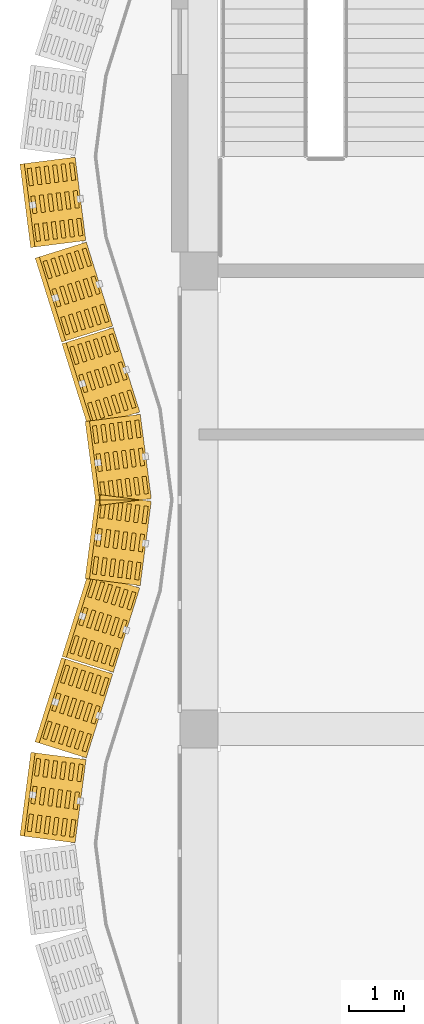
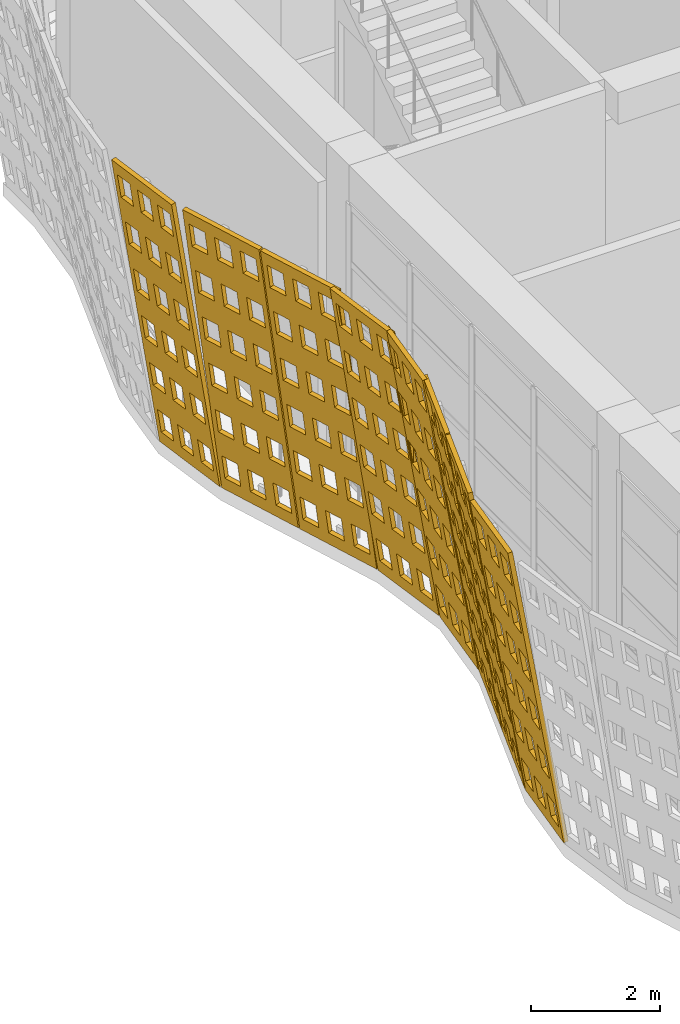
# One storey, part 157 of 210: 8 coverings.
"""IFC4 building model written with IfcOpenShell, lengths in metres."""

import ifcopenshell
import ifcopenshell.guid

model = None  # the IFC model being written
_history = None  # IfcOwnerHistory: only IFC2X3 demands one
_inside = {}  # id of a spatial element -> (the spatial element, [elements in it])
_under = {}  # id of a project, library or spatial element -> (it, [spatial elements below it])
_declared = {}  # id of a project -> (the project, [libraries it declares])
_typed = {}  # id of a type object -> (the type object, [elements of that type])
_made_of = {}  # id of a material, layer set ... -> (it, [elements and type objects made of it])


def new_model(schema):
    """Start an empty IFC model of exactly this schema.

    Asked for "IFC4X3", IfcOpenShell would pick the latest addendum, in which some entities
    have other attributes; the version numbers below select the first issue.
    IFC2X3 requires an IfcOwnerHistory on every rooted entity: one is made here for all.
    """
    global model, _history
    if schema == "IFC4X3":
        model = ifcopenshell.file(schema_version=(4, 3, 0, 0))
    else:
        model = ifcopenshell.file(schema=schema)
    _inside.clear()
    _under.clear()
    _declared.clear()
    _typed.clear()
    _made_of.clear()
    _history = None
    if model.schema == "IFC2X3":
        org = make("IfcOrganization", Name="unknown")
        user = make(
            "IfcPersonAndOrganization",
            ThePerson=make("IfcPerson", FamilyName="unknown"),
            TheOrganization=org,
        )
        app = make(
            "IfcApplication",
            ApplicationDeveloper=org,
            Version="unknown",
            ApplicationFullName="unknown",
            ApplicationIdentifier="unknown",
        )
        _history = make(
            "IfcOwnerHistory",
            OwningUser=user,
            OwningApplication=app,
            ChangeAction="ADDED",
            CreationDate=0,
        )
    return model


def make(cls, **values):
    """One entity of the class cls with the attributes given. An attribute that is None is left unset."""
    return model.create_entity(
        cls, **{name: value for name, value in values.items() if value is not None}
    )


def rooted(cls, **values):
    """An entity with a GlobalId (a new one), such as an element, a storey or a relation."""
    return make(cls, GlobalId=ifcopenshell.guid.new(), OwnerHistory=_history, **values)


def si_unit(unit_type, name, prefix=None):
    """IfcSIUnit, for example si_unit("LENGTHUNIT", "METRE", prefix="MILLI")."""
    return make("IfcSIUnit", UnitType=unit_type, Prefix=prefix, Name=name)


def assignment(units):
    """IfcUnitAssignment: the units of a project."""
    return None if units is None else make("IfcUnitAssignment", Units=units)


def point(xyz):
    """IfcCartesianPoint."""
    return None if xyz is None else make("IfcCartesianPoint", Coordinates=xyz)


def direction(xyz):
    """IfcDirection."""
    return None if xyz is None else make("IfcDirection", DirectionRatios=xyz)


def frame(location, z_axis=None, x_axis=None):
    """IfcAxis2Placement3D, a coordinate frame: its origin and axes. An axis left out is left unset."""
    return make(
        "IfcAxis2Placement3D",
        Location=point(location),
        Axis=direction(z_axis),
        RefDirection=direction(x_axis),
    )


def origin():
    """The frame at (0, 0, 0) with its axes left unset."""
    return frame((0.0, 0.0, 0.0))


def place(relative_to, where):
    """IfcLocalPlacement: puts the frame where relative to a parent placement (None: the world)."""
    return make(
        "IfcLocalPlacement", PlacementRelTo=relative_to, RelativePlacement=where
    )


def context(
    kind, dimensions, precision=None, world=None, true_north=None, identifier=None
):
    """IfcGeometricRepresentationContext, for example the 3D "Model" context."""
    return make(
        "IfcGeometricRepresentationContext",
        ContextIdentifier=identifier,
        ContextType=kind,
        CoordinateSpaceDimension=dimensions,
        Precision=precision,
        WorldCoordinateSystem=world,
        TrueNorth=true_north,
    )


def subcontext(parent, identifier, kind, view, scale=None):
    """IfcGeometricRepresentationSubContext, for example "Body" below "Model"."""
    return make(
        "IfcGeometricRepresentationSubContext",
        ContextIdentifier=identifier,
        ContextType=kind,
        ParentContext=parent,
        TargetScale=scale,
        TargetView=view,
    )


def project(units=None, contexts=None):
    """IfcProject with its units and contexts."""
    return rooted(
        "IfcProject",
        Name="project",
        RepresentationContexts=contexts,
        UnitsInContext=assignment(units),
    )


def spatial(cls, under=None, at=None, **own):
    """A site, building, storey or space (cls), placed at a placement, below another one or the project."""
    s = rooted(cls, ObjectPlacement=at, **own)
    if under is not None:
        _under.setdefault(under.id(), (under, []))[1].append(s)
    return s


def polyline(points):
    """IfcPolyline through the points."""
    return make("IfcPolyline", Points=[point(p) for p in points])


def outline(outer, holes=None, kind="AREA"):
    """IfcArbitraryClosedProfileDef: a profile drawn as a closed curve; with holes, ...WithVoids."""
    if holes is None:
        return make("IfcArbitraryClosedProfileDef", ProfileType=kind, OuterCurve=outer)
    return make(
        "IfcArbitraryProfileDefWithVoids",
        ProfileType=kind,
        OuterCurve=outer,
        InnerCurves=holes,
    )


def extrude(swept, where, along, depth):
    """IfcExtrudedAreaSolid: the profile swept, set in the frame where, extruded along a direction by depth."""
    return make(
        "IfcExtrudedAreaSolid",
        SweptArea=swept,
        Position=where,
        ExtrudedDirection=direction(along),
        Depth=depth,
    )


def shape(context_of_items, identifier, shape_type, items):
    """IfcShapeRepresentation: the items that make up one representation, for example the "Body"."""
    return make(
        "IfcShapeRepresentation",
        ContextOfItems=context_of_items,
        RepresentationIdentifier=identifier,
        RepresentationType=shape_type,
        Items=items,
    )


def material(Name=None, Category=None):
    """IfcMaterial."""
    return make("IfcMaterial", Name=Name, Category=Category)


def layer(
    of_material, thickness, ventilated=None, Name=None, Category=None, Priority=None
):
    """IfcMaterialLayer: one layer of a wall or slab, of a material (None: an air gap)."""
    return make(
        "IfcMaterialLayer",
        Material=of_material,
        LayerThickness=thickness,
        IsVentilated=ventilated,
        Name=Name,
        Category=Category,
        Priority=Priority,
    )


def layer_set(layers, Name=None):
    """IfcMaterialLayerSet."""
    return make("IfcMaterialLayerSet", MaterialLayers=layers, LayerSetName=Name)


def made_of(thing, what):
    """Note that an element or type object is made of a material, layer set ...; save() writes the relation."""
    if what is not None:
        _made_of.setdefault(what.id(), (what, []))[1].append(thing)
    return thing


def type_object(cls, material=None, **own):
    """A type object (cls), such as IfcWallType, which elements share."""
    return made_of(rooted(cls, **own), material)


def element(
    cls,
    number,
    at=None,
    inside=None,
    cuts=None,
    type_object=None,
    material=None,
    context=None,
    identifier="Body",
    shape_type=None,
    held_by="IfcProductDefinitionShape",
    body=None,
    shapes=None,
    **own,
):
    """One element of the class cls, such as IfcWall. Its Tag is "e" and its number.

    at: its placement. inside: the storey or other place that contains it. cuts: it is an
    opening in that element (IfcRelVoidsElement). A single representation is given by context,
    identifier, shape_type and body (its items); several are given by shapes. held_by: the class
    of the entity that holds the representations. save() writes the other relations.
    """
    e = rooted(cls, Tag="e%d" % number, ObjectPlacement=at, **own)
    if body is not None:
        shapes = [shape(context, identifier, shape_type, body)]
    if shapes is not None:
        e.Representation = make(held_by, Representations=shapes)
    if inside is not None:
        _inside.setdefault(inside.id(), (inside, []))[1].append(e)
    if cuts is not None:
        rooted(
            "IfcRelVoidsElement", RelatingBuildingElement=cuts, RelatedOpeningElement=e
        )
    if type_object is not None:
        _typed.setdefault(type_object.id(), (type_object, []))[1].append(e)
    return made_of(e, material)


def aggregate(whole, parts):
    """IfcRelAggregates: a whole, such as a stair, and the parts it consists of."""
    return rooted("IfcRelAggregates", RelatingObject=whole, RelatedObjects=parts)


def save(model, path):
    """Write the relations noted so far, then the file.

    IfcRelAggregates (storeys below a building ...), IfcRelContainedInSpatialStructure (elements
    in a storey), IfcRelDefinesByType, IfcRelAssociatesMaterial and IfcRelDeclares: one each for
    every whole, place, type object, material and project.
    """
    for whole, parts in _under.values():
        aggregate(whole, parts)
    for where, things in _inside.values():
        rooted(
            "IfcRelContainedInSpatialStructure",
            RelatedElements=things,
            RelatingStructure=where,
        )
    for kind, things in _typed.values():
        rooted("IfcRelDefinesByType", RelatedObjects=things, RelatingType=kind)
    for what, things in _made_of.values():
        rooted("IfcRelAssociatesMaterial", RelatedObjects=things, RelatingMaterial=what)
    for by, libraries in _declared.values():
        rooted("IfcRelDeclares", RelatingContext=by, RelatedDefinitions=libraries)
    model.write(path)


model = new_model("IFC4")

# Units and contexts
model_context = context("Model", 3, precision=1e-05, world=origin(), true_north=direction((0.0, 1.0)))
body_context = subcontext(model_context, "Body", "Model", "MODEL_VIEW")
ifc_project = project(units=[si_unit("LENGTHUNIT", "METRE"), si_unit("AREAUNIT", "SQUARE_METRE"), si_unit("VOLUMEUNIT", "CUBIC_METRE"), si_unit("PLANEANGLEUNIT", "RADIAN"), si_unit("MASSUNIT", "GRAM", prefix="KILO")], contexts=[model_context])

# Site, building, storey
site_placement = place(None, origin())
site = spatial("IfcSite", under=ifc_project, at=site_placement, CompositionType="ELEMENT")
building_placement = place(site_placement, origin())
building = spatial("IfcBuilding", under=site, at=building_placement, Name="Rain Tree Exposition and Congress Centre", CompositionType="ELEMENT")
storey_placement = place(building_placement, origin())
storey = spatial("IfcBuildingStorey", under=building, at=storey_placement, Name="L00", CompositionType="ELEMENT", Elevation=0.0)

# Coverings
ifc_material = material(Name="Perforated terracotta", Category="masonry")
ifc_layer = layer(ifc_material, 0.080078125)
ifc_layer_set = layer_set([ifc_layer], Name="Perforated terracotta")
covering_type = type_object("IfcCoveringType", Name="Terracotta screen 80", PredefinedType="CLADDING", material=ifc_layer_set)
covering_1_placement = place(storey_placement, frame((-2.35009765625, 44.10009765625, 0.0), z_axis=(0.978899688033, 0.125030801275, 0.161625182136), x_axis=(-0.126696580272, 0.991941518713, 0.0)))
element("IfcCovering", 1, at=covering_1_placement, inside=storey, type_object=covering_type, Name="wing/screen/L00/107", PredefinedType="CLADDING", context=body_context, shape_type="SweptSolid", body=[
    extrude(outline(polyline([(-1.56640625, 0.0), (-1.56640625, 5.813720703125), (-0.025390625, 5.813720703125), (-0.025390625, 0.0), (-1.56640625, 0.0)]), holes=[polyline([(-0.123046875, 0.25), (-0.123046875, 0.718994140625), (-0.44140625, 0.718994140625), (-0.44140625, 0.25), (-0.123046875, 0.25)]), polyline([(-0.123046875, 1.218994140625), (-0.123046875, 1.687744140625), (-0.44140625, 1.687744140625), (-0.44140625, 1.218994140625), (-0.123046875, 1.218994140625)]), polyline([(-0.123046875, 2.18798828125), (-0.123046875, 2.65673828125), (-0.44140625, 2.65673828125), (-0.44140625, 2.18798828125), (-0.123046875, 2.18798828125)]), polyline([(-0.123046875, 3.15673828125), (-0.123046875, 3.625732421875), (-0.44140625, 3.625732421875), (-0.44140625, 3.15673828125), (-0.123046875, 3.15673828125)]), polyline([(-0.123046875, 4.125732421875), (-0.123046875, 4.594482421875), (-0.44140625, 4.594482421875), (-0.44140625, 4.125732421875), (-0.123046875, 4.125732421875)]), polyline([(-0.123046875, 5.0947265625), (-0.123046875, 5.5634765625), (-0.44140625, 5.5634765625), (-0.44140625, 5.0947265625), (-0.123046875, 5.0947265625)]), polyline([(-0.63671875, 0.25), (-0.63671875, 0.718994140625), (-0.955078125, 0.718994140625), (-0.955078125, 0.25), (-0.63671875, 0.25)]), polyline([(-0.63671875, 1.218994140625), (-0.63671875, 1.687744140625), (-0.955078125, 1.687744140625), (-0.955078125, 1.218994140625), (-0.63671875, 1.218994140625)]), polyline([(-0.63671875, 2.18798828125), (-0.63671875, 2.65673828125), (-0.955078125, 2.65673828125), (-0.955078125, 2.18798828125), (-0.63671875, 2.18798828125)]), polyline([(-0.63671875, 3.15673828125), (-0.63671875, 3.625732421875), (-0.955078125, 3.625732421875), (-0.955078125, 3.15673828125), (-0.63671875, 3.15673828125)]), polyline([(-0.63671875, 4.125732421875), (-0.63671875, 4.594482421875), (-0.955078125, 4.594482421875), (-0.955078125, 4.125732421875), (-0.63671875, 4.125732421875)]), polyline([(-0.63671875, 5.0947265625), (-0.63671875, 5.5634765625), (-0.955078125, 5.5634765625), (-0.955078125, 5.0947265625), (-0.63671875, 5.0947265625)]), polyline([(-1.150146484375, 0.25), (-1.150146484375, 0.718994140625), (-1.46875, 0.718994140625), (-1.46875, 0.25), (-1.150146484375, 0.25)]), polyline([(-1.150146484375, 1.218994140625), (-1.150146484375, 1.687744140625), (-1.46875, 1.687744140625), (-1.46875, 1.218994140625), (-1.150146484375, 1.218994140625)]), polyline([(-1.150146484375, 2.18798828125), (-1.150146484375, 2.65673828125), (-1.46875, 2.65673828125), (-1.46875, 2.18798828125), (-1.150146484375, 2.18798828125)]), polyline([(-1.150146484375, 3.15673828125), (-1.150146484375, 3.625732421875), (-1.46875, 3.625732421875), (-1.46875, 3.15673828125), (-1.150146484375, 3.15673828125)]), polyline([(-1.150146484375, 4.125732421875), (-1.150146484375, 4.594482421875), (-1.46875, 4.594482421875), (-1.46875, 4.125732421875), (-1.150146484375, 4.125732421875)]), polyline([(-1.150146484375, 5.0947265625), (-1.150146484375, 5.5634765625), (-1.46875, 5.5634765625), (-1.46875, 5.0947265625), (-1.150146484375, 5.0947265625)])]), origin(), (0.0, 0.0, 1.0), 0.080078125),
])
covering_2_placement = place(storey_placement, frame((-2.14501953125, 42.52490234375, 0.0), z_axis=(0.942480618158, 0.295859611525, 0.155555053482), x_axis=(-0.29950542383, 0.954094597562, 0.0)))
element("IfcCovering", 2, at=covering_2_placement, inside=storey, type_object=covering_type, Name="wing/screen/L00/108", PredefinedType="CLADDING", context=body_context, shape_type="SweptSolid", body=[
    extrude(outline(polyline([(-1.635986328125, 0.0), (-1.635986328125, 5.808349609375), (-0.02197265625, 5.808349609375), (-0.02197265625, 0.0), (-1.635986328125, 0.0)]), holes=[polyline([(-0.124267578125, 0.249755859375), (-0.124267578125, 0.71826171875), (-0.457763671875, 0.71826171875), (-0.457763671875, 0.249755859375), (-0.124267578125, 0.249755859375)]), polyline([(-0.124267578125, 1.218017578125), (-0.124267578125, 1.686279296875), (-0.457763671875, 1.686279296875), (-0.457763671875, 1.218017578125), (-0.124267578125, 1.218017578125)]), polyline([(-0.124267578125, 2.18603515625), (-0.124267578125, 2.654296875), (-0.457763671875, 2.654296875), (-0.457763671875, 2.18603515625), (-0.124267578125, 2.18603515625)]), polyline([(-0.124267578125, 3.154052734375), (-0.124267578125, 3.62255859375), (-0.457763671875, 3.62255859375), (-0.457763671875, 3.154052734375), (-0.124267578125, 3.154052734375)]), polyline([(-0.124267578125, 4.1220703125), (-0.124267578125, 4.590576171875), (-0.457763671875, 4.590576171875), (-0.457763671875, 4.1220703125), (-0.124267578125, 4.1220703125)]), polyline([(-0.124267578125, 5.090087890625), (-0.124267578125, 5.55859375), (-0.457763671875, 5.55859375), (-0.457763671875, 5.090087890625), (-0.124267578125, 5.090087890625)]), polyline([(-0.662109375, 0.249755859375), (-0.662109375, 0.71826171875), (-0.995849609375, 0.71826171875), (-0.995849609375, 0.249755859375), (-0.662109375, 0.249755859375)]), polyline([(-0.662109375, 1.218017578125), (-0.662109375, 1.686279296875), (-0.995849609375, 1.686279296875), (-0.995849609375, 1.218017578125), (-0.662109375, 1.218017578125)]), polyline([(-0.662109375, 2.18603515625), (-0.662109375, 2.654296875), (-0.995849609375, 2.654296875), (-0.995849609375, 2.18603515625), (-0.662109375, 2.18603515625)]), polyline([(-0.662109375, 3.154052734375), (-0.662109375, 3.62255859375), (-0.995849609375, 3.62255859375), (-0.995849609375, 3.154052734375), (-0.662109375, 3.154052734375)]), polyline([(-0.662109375, 4.1220703125), (-0.662109375, 4.590576171875), (-0.995849609375, 4.590576171875), (-0.995849609375, 4.1220703125), (-0.662109375, 4.1220703125)]), polyline([(-0.662109375, 5.090087890625), (-0.662109375, 5.55859375), (-0.995849609375, 5.55859375), (-0.995849609375, 5.090087890625), (-0.662109375, 5.090087890625)]), polyline([(-1.2001953125, 0.249755859375), (-1.2001953125, 0.71826171875), (-1.53369140625, 0.71826171875), (-1.53369140625, 0.249755859375), (-1.2001953125, 0.249755859375)]), polyline([(-1.2001953125, 1.218017578125), (-1.2001953125, 1.686279296875), (-1.53369140625, 1.686279296875), (-1.53369140625, 1.218017578125), (-1.2001953125, 1.218017578125)]), polyline([(-1.2001953125, 2.18603515625), (-1.2001953125, 2.654296875), (-1.53369140625, 2.654296875), (-1.53369140625, 2.18603515625), (-1.2001953125, 2.18603515625)]), polyline([(-1.2001953125, 3.154052734375), (-1.2001953125, 3.62255859375), (-1.53369140625, 3.62255859375), (-1.53369140625, 3.154052734375), (-1.2001953125, 3.154052734375)]), polyline([(-1.2001953125, 4.1220703125), (-1.2001953125, 4.590576171875), (-1.53369140625, 4.590576171875), (-1.53369140625, 4.1220703125), (-1.2001953125, 4.1220703125)]), polyline([(-1.2001953125, 5.090087890625), (-1.2001953125, 5.55859375), (-1.53369140625, 5.55859375), (-1.53369140625, 5.090087890625), (-1.2001953125, 5.090087890625)])]), origin(), (0.0, 0.0, 1.0), 0.080078125),
])
covering_3_placement = place(storey_placement, frame((-1.64990234375, 40.949951171875, 0.0), z_axis=(0.94213835477, 0.296712403937, 0.156003428874), x_axis=(-0.300390227601, 0.953816392794, 0.0)))
element("IfcCovering", 3, at=covering_3_placement, inside=storey, type_object=covering_type, Name="wing/screen/L00/109", PredefinedType="CLADDING", context=body_context, shape_type="SweptSolid", body=[
    extrude(outline(polyline([(-1.635986328125, 0.0), (-1.635986328125, 5.808349609375), (-0.014892578125, 5.808349609375), (-0.014892578125, 0.0), (-1.635986328125, 0.0)]), holes=[polyline([(-0.11767578125, 0.249755859375), (-0.11767578125, 0.71826171875), (-0.45263671875, 0.71826171875), (-0.45263671875, 0.249755859375), (-0.11767578125, 0.249755859375)]), polyline([(-0.11767578125, 1.218017578125), (-0.11767578125, 1.686279296875), (-0.45263671875, 1.686279296875), (-0.45263671875, 1.218017578125), (-0.11767578125, 1.218017578125)]), polyline([(-0.11767578125, 2.18603515625), (-0.11767578125, 2.654296875), (-0.45263671875, 2.654296875), (-0.45263671875, 2.18603515625), (-0.11767578125, 2.18603515625)]), polyline([(-0.11767578125, 3.154052734375), (-0.11767578125, 3.62255859375), (-0.45263671875, 3.62255859375), (-0.45263671875, 3.154052734375), (-0.11767578125, 3.154052734375)]), polyline([(-0.11767578125, 4.1220703125), (-0.11767578125, 4.590576171875), (-0.45263671875, 4.590576171875), (-0.45263671875, 4.1220703125), (-0.11767578125, 4.1220703125)]), polyline([(-0.11767578125, 5.090087890625), (-0.11767578125, 5.55859375), (-0.45263671875, 5.55859375), (-0.45263671875, 5.090087890625), (-0.11767578125, 5.090087890625)]), polyline([(-0.657958984375, 0.249755859375), (-0.657958984375, 0.71826171875), (-0.992919921875, 0.71826171875), (-0.992919921875, 0.249755859375), (-0.657958984375, 0.249755859375)]), polyline([(-0.657958984375, 1.218017578125), (-0.657958984375, 1.686279296875), (-0.992919921875, 1.686279296875), (-0.992919921875, 1.218017578125), (-0.657958984375, 1.218017578125)]), polyline([(-0.657958984375, 2.18603515625), (-0.657958984375, 2.654296875), (-0.992919921875, 2.654296875), (-0.992919921875, 2.18603515625), (-0.657958984375, 2.18603515625)]), polyline([(-0.657958984375, 3.154052734375), (-0.657958984375, 3.62255859375), (-0.992919921875, 3.62255859375), (-0.992919921875, 3.154052734375), (-0.657958984375, 3.154052734375)]), polyline([(-0.657958984375, 4.1220703125), (-0.657958984375, 4.590576171875), (-0.992919921875, 4.590576171875), (-0.992919921875, 4.1220703125), (-0.657958984375, 4.1220703125)]), polyline([(-0.657958984375, 5.090087890625), (-0.657958984375, 5.55859375), (-0.992919921875, 5.55859375), (-0.992919921875, 5.090087890625), (-0.657958984375, 5.090087890625)]), polyline([(-1.1982421875, 0.249755859375), (-1.1982421875, 0.71826171875), (-1.533203125, 0.71826171875), (-1.533203125, 0.249755859375), (-1.1982421875, 0.249755859375)]), polyline([(-1.1982421875, 1.218017578125), (-1.1982421875, 1.686279296875), (-1.533203125, 1.686279296875), (-1.533203125, 1.218017578125), (-1.1982421875, 1.218017578125)]), polyline([(-1.1982421875, 2.18603515625), (-1.1982421875, 2.654296875), (-1.533203125, 2.654296875), (-1.533203125, 2.18603515625), (-1.1982421875, 2.18603515625)]), polyline([(-1.1982421875, 3.154052734375), (-1.1982421875, 3.62255859375), (-1.533203125, 3.62255859375), (-1.533203125, 3.154052734375), (-1.1982421875, 3.154052734375)]), polyline([(-1.1982421875, 4.1220703125), (-1.1982421875, 4.590576171875), (-1.533203125, 4.590576171875), (-1.533203125, 4.1220703125), (-1.1982421875, 4.1220703125)]), polyline([(-1.1982421875, 5.090087890625), (-1.1982421875, 5.55859375), (-1.533203125, 5.55859375), (-1.533203125, 5.090087890625), (-1.1982421875, 5.090087890625)])]), origin(), (0.0, 0.0, 1.0), 0.079833984375),
])
covering_4_placement = place(storey_placement, frame((-1.155029296875, 39.375, 0.0), z_axis=(0.978522114732, 0.1280309309, 0.161562841373), x_axis=(-0.129735338481, 0.991548658387, 0.0)))
element("IfcCovering", 4, at=covering_4_placement, inside=storey, type_object=covering_type, Name="wing/screen/L00/110", PredefinedType="CLADDING", context=body_context, shape_type="SweptSolid", body=[
    extrude(outline(polyline([(-1.5732421875, 0.0), (-1.5732421875, 5.813720703125), (-0.014892578125, 5.813720703125), (-0.014892578125, 0.0), (-1.5732421875, 0.0)]), holes=[polyline([(-0.11376953125, 0.25), (-0.11376953125, 0.718994140625), (-0.435791015625, 0.718994140625), (-0.435791015625, 0.25), (-0.11376953125, 0.25)]), polyline([(-0.11376953125, 1.218994140625), (-0.11376953125, 1.687744140625), (-0.435791015625, 1.687744140625), (-0.435791015625, 1.218994140625), (-0.11376953125, 1.218994140625)]), polyline([(-0.11376953125, 2.18798828125), (-0.11376953125, 2.65673828125), (-0.435791015625, 2.65673828125), (-0.435791015625, 2.18798828125), (-0.11376953125, 2.18798828125)]), polyline([(-0.11376953125, 3.15673828125), (-0.11376953125, 3.625732421875), (-0.435791015625, 3.625732421875), (-0.435791015625, 3.15673828125), (-0.11376953125, 3.15673828125)]), polyline([(-0.11376953125, 4.125732421875), (-0.11376953125, 4.594482421875), (-0.435791015625, 4.594482421875), (-0.435791015625, 4.125732421875), (-0.11376953125, 4.125732421875)]), polyline([(-0.11376953125, 5.0947265625), (-0.11376953125, 5.5634765625), (-0.435791015625, 5.5634765625), (-0.435791015625, 5.0947265625), (-0.11376953125, 5.0947265625)]), polyline([(-0.633056640625, 0.25), (-0.633056640625, 0.718994140625), (-0.955078125, 0.718994140625), (-0.955078125, 0.25), (-0.633056640625, 0.25)]), polyline([(-0.633056640625, 1.218994140625), (-0.633056640625, 1.687744140625), (-0.955078125, 1.687744140625), (-0.955078125, 1.218994140625), (-0.633056640625, 1.218994140625)]), polyline([(-0.633056640625, 2.18798828125), (-0.633056640625, 2.65673828125), (-0.955078125, 2.65673828125), (-0.955078125, 2.18798828125), (-0.633056640625, 2.18798828125)]), polyline([(-0.633056640625, 3.15673828125), (-0.633056640625, 3.625732421875), (-0.955078125, 3.625732421875), (-0.955078125, 3.15673828125), (-0.633056640625, 3.15673828125)]), polyline([(-0.633056640625, 4.125732421875), (-0.633056640625, 4.594482421875), (-0.955078125, 4.594482421875), (-0.955078125, 4.125732421875), (-0.633056640625, 4.125732421875)]), polyline([(-0.633056640625, 5.0947265625), (-0.633056640625, 5.5634765625), (-0.955078125, 5.5634765625), (-0.955078125, 5.0947265625), (-0.633056640625, 5.0947265625)]), polyline([(-1.152587890625, 0.25), (-1.152587890625, 0.718994140625), (-1.474609375, 0.718994140625), (-1.474609375, 0.25), (-1.152587890625, 0.25)]), polyline([(-1.152587890625, 1.218994140625), (-1.152587890625, 1.687744140625), (-1.474609375, 1.687744140625), (-1.474609375, 1.218994140625), (-1.152587890625, 1.218994140625)]), polyline([(-1.152587890625, 2.18798828125), (-1.152587890625, 2.65673828125), (-1.474609375, 2.65673828125), (-1.474609375, 2.18798828125), (-1.152587890625, 2.18798828125)]), polyline([(-1.152587890625, 3.15673828125), (-1.152587890625, 3.625732421875), (-1.474609375, 3.625732421875), (-1.474609375, 3.15673828125), (-1.152587890625, 3.15673828125)]), polyline([(-1.152587890625, 4.125732421875), (-1.152587890625, 4.594482421875), (-1.474609375, 4.594482421875), (-1.474609375, 4.125732421875), (-1.152587890625, 4.125732421875)]), polyline([(-1.152587890625, 5.0947265625), (-1.152587890625, 5.5634765625), (-1.474609375, 5.5634765625), (-1.474609375, 5.0947265625), (-1.152587890625, 5.0947265625)])]), origin(), (0.0, 0.0, 1.0), 0.080078125),
])
covering_5_placement = place(storey_placement, frame((-0.949951171875, 37.800048828125, 0.0), z_axis=(0.978522114732, -0.1280309309, 0.161562841373), x_axis=(0.129735338481, 0.991548658387, 0.0)))
element("IfcCovering", 5, at=covering_5_placement, inside=storey, type_object=covering_type, Name="wing/screen/L00/111", PredefinedType="CLADDING", context=body_context, shape_type="SweptSolid", body=[
    extrude(outline(polyline([(-1.5732421875, 0.0), (-1.5732421875, 5.813720703125), (-0.014892578125, 5.813720703125), (-0.014892578125, 0.0), (-1.5732421875, 0.0)]), holes=[polyline([(-0.11376953125, 0.25), (-0.11376953125, 0.718994140625), (-0.435791015625, 0.718994140625), (-0.435791015625, 0.25), (-0.11376953125, 0.25)]), polyline([(-0.11376953125, 1.218994140625), (-0.11376953125, 1.687744140625), (-0.435791015625, 1.687744140625), (-0.435791015625, 1.218994140625), (-0.11376953125, 1.218994140625)]), polyline([(-0.11376953125, 2.18798828125), (-0.11376953125, 2.65673828125), (-0.435791015625, 2.65673828125), (-0.435791015625, 2.18798828125), (-0.11376953125, 2.18798828125)]), polyline([(-0.11376953125, 3.15673828125), (-0.11376953125, 3.625732421875), (-0.435791015625, 3.625732421875), (-0.435791015625, 3.15673828125), (-0.11376953125, 3.15673828125)]), polyline([(-0.11376953125, 4.125732421875), (-0.11376953125, 4.594482421875), (-0.435791015625, 4.594482421875), (-0.435791015625, 4.125732421875), (-0.11376953125, 4.125732421875)]), polyline([(-0.11376953125, 5.0947265625), (-0.11376953125, 5.5634765625), (-0.435791015625, 5.5634765625), (-0.435791015625, 5.0947265625), (-0.11376953125, 5.0947265625)]), polyline([(-0.633056640625, 0.25), (-0.633056640625, 0.718994140625), (-0.955078125, 0.718994140625), (-0.955078125, 0.25), (-0.633056640625, 0.25)]), polyline([(-0.633056640625, 1.218994140625), (-0.633056640625, 1.687744140625), (-0.955078125, 1.687744140625), (-0.955078125, 1.218994140625), (-0.633056640625, 1.218994140625)]), polyline([(-0.633056640625, 2.18798828125), (-0.633056640625, 2.65673828125), (-0.955078125, 2.65673828125), (-0.955078125, 2.18798828125), (-0.633056640625, 2.18798828125)]), polyline([(-0.633056640625, 3.15673828125), (-0.633056640625, 3.625732421875), (-0.955078125, 3.625732421875), (-0.955078125, 3.15673828125), (-0.633056640625, 3.15673828125)]), polyline([(-0.633056640625, 4.125732421875), (-0.633056640625, 4.594482421875), (-0.955078125, 4.594482421875), (-0.955078125, 4.125732421875), (-0.633056640625, 4.125732421875)]), polyline([(-0.633056640625, 5.0947265625), (-0.633056640625, 5.5634765625), (-0.955078125, 5.5634765625), (-0.955078125, 5.0947265625), (-0.633056640625, 5.0947265625)]), polyline([(-1.152587890625, 0.25), (-1.152587890625, 0.718994140625), (-1.474609375, 0.718994140625), (-1.474609375, 0.25), (-1.152587890625, 0.25)]), polyline([(-1.152587890625, 1.218994140625), (-1.152587890625, 1.687744140625), (-1.474609375, 1.687744140625), (-1.474609375, 1.218994140625), (-1.152587890625, 1.218994140625)]), polyline([(-1.152587890625, 2.18798828125), (-1.152587890625, 2.65673828125), (-1.474609375, 2.65673828125), (-1.474609375, 2.18798828125), (-1.152587890625, 2.18798828125)]), polyline([(-1.152587890625, 3.15673828125), (-1.152587890625, 3.625732421875), (-1.474609375, 3.625732421875), (-1.474609375, 3.15673828125), (-1.152587890625, 3.15673828125)]), polyline([(-1.152587890625, 4.125732421875), (-1.152587890625, 4.594482421875), (-1.474609375, 4.594482421875), (-1.474609375, 4.125732421875), (-1.152587890625, 4.125732421875)]), polyline([(-1.152587890625, 5.0947265625), (-1.152587890625, 5.5634765625), (-1.474609375, 5.5634765625), (-1.474609375, 5.0947265625), (-1.152587890625, 5.0947265625)])]), origin(), (0.0, 0.0, 1.0), 0.080078125),
])
covering_6_placement = place(storey_placement, frame((-1.155029296875, 36.22509765625, 0.0), z_axis=(0.942480618158, -0.295859611525, 0.155555053482), x_axis=(0.29950542383, 0.954094597562, 0.0)))
element("IfcCovering", 6, at=covering_6_placement, inside=storey, type_object=covering_type, Name="wing/screen/L00/112", PredefinedType="CLADDING", context=body_context, shape_type="SweptSolid", body=[
    extrude(outline(polyline([(-1.635986328125, 0.0), (-1.635986328125, 5.808349609375), (-0.014892578125, 5.808349609375), (-0.014892578125, 0.0), (-1.635986328125, 0.0)]), holes=[polyline([(-0.11767578125, 0.249755859375), (-0.11767578125, 0.71826171875), (-0.45263671875, 0.71826171875), (-0.45263671875, 0.249755859375), (-0.11767578125, 0.249755859375)]), polyline([(-0.11767578125, 1.218017578125), (-0.11767578125, 1.686279296875), (-0.45263671875, 1.686279296875), (-0.45263671875, 1.218017578125), (-0.11767578125, 1.218017578125)]), polyline([(-0.11767578125, 2.18603515625), (-0.11767578125, 2.654296875), (-0.45263671875, 2.654296875), (-0.45263671875, 2.18603515625), (-0.11767578125, 2.18603515625)]), polyline([(-0.11767578125, 3.154052734375), (-0.11767578125, 3.62255859375), (-0.45263671875, 3.62255859375), (-0.45263671875, 3.154052734375), (-0.11767578125, 3.154052734375)]), polyline([(-0.11767578125, 4.1220703125), (-0.11767578125, 4.590576171875), (-0.45263671875, 4.590576171875), (-0.45263671875, 4.1220703125), (-0.11767578125, 4.1220703125)]), polyline([(-0.11767578125, 5.090087890625), (-0.11767578125, 5.55859375), (-0.45263671875, 5.55859375), (-0.45263671875, 5.090087890625), (-0.11767578125, 5.090087890625)]), polyline([(-0.657958984375, 0.249755859375), (-0.657958984375, 0.71826171875), (-0.992919921875, 0.71826171875), (-0.992919921875, 0.249755859375), (-0.657958984375, 0.249755859375)]), polyline([(-0.657958984375, 1.218017578125), (-0.657958984375, 1.686279296875), (-0.992919921875, 1.686279296875), (-0.992919921875, 1.218017578125), (-0.657958984375, 1.218017578125)]), polyline([(-0.657958984375, 2.18603515625), (-0.657958984375, 2.654296875), (-0.992919921875, 2.654296875), (-0.992919921875, 2.18603515625), (-0.657958984375, 2.18603515625)]), polyline([(-0.657958984375, 3.154052734375), (-0.657958984375, 3.62255859375), (-0.992919921875, 3.62255859375), (-0.992919921875, 3.154052734375), (-0.657958984375, 3.154052734375)]), polyline([(-0.657958984375, 4.1220703125), (-0.657958984375, 4.590576171875), (-0.992919921875, 4.590576171875), (-0.992919921875, 4.1220703125), (-0.657958984375, 4.1220703125)]), polyline([(-0.657958984375, 5.090087890625), (-0.657958984375, 5.55859375), (-0.992919921875, 5.55859375), (-0.992919921875, 5.090087890625), (-0.657958984375, 5.090087890625)]), polyline([(-1.1982421875, 0.249755859375), (-1.1982421875, 0.71826171875), (-1.533203125, 0.71826171875), (-1.533203125, 0.249755859375), (-1.1982421875, 0.249755859375)]), polyline([(-1.1982421875, 1.218017578125), (-1.1982421875, 1.686279296875), (-1.533203125, 1.686279296875), (-1.533203125, 1.218017578125), (-1.1982421875, 1.218017578125)]), polyline([(-1.1982421875, 2.18603515625), (-1.1982421875, 2.654296875), (-1.533203125, 2.654296875), (-1.533203125, 2.18603515625), (-1.1982421875, 2.18603515625)]), polyline([(-1.1982421875, 3.154052734375), (-1.1982421875, 3.62255859375), (-1.533203125, 3.62255859375), (-1.533203125, 3.154052734375), (-1.1982421875, 3.154052734375)]), polyline([(-1.1982421875, 4.1220703125), (-1.1982421875, 4.590576171875), (-1.533203125, 4.590576171875), (-1.533203125, 4.1220703125), (-1.1982421875, 4.1220703125)]), polyline([(-1.1982421875, 5.090087890625), (-1.1982421875, 5.55859375), (-1.533203125, 5.55859375), (-1.533203125, 5.090087890625), (-1.1982421875, 5.090087890625)])]), origin(), (0.0, 0.0, 1.0), 0.080078125),
])
covering_7_placement = place(storey_placement, frame((-1.64990234375, 34.64990234375, 0.0), z_axis=(0.94213835477, -0.296712403937, 0.156003428874), x_axis=(0.300390227601, 0.953816392794, 0.0)))
element("IfcCovering", 7, at=covering_7_placement, inside=storey, type_object=covering_type, Name="wing/screen/L00/113", PredefinedType="CLADDING", context=body_context, shape_type="SweptSolid", body=[
    extrude(outline(polyline([(-1.62890625, 0.0), (-1.62890625, 5.808349609375), (-0.014892578125, 5.808349609375), (-0.014892578125, 0.0), (-1.62890625, 0.0)]), holes=[polyline([(-0.1171875, 0.249755859375), (-0.1171875, 0.71826171875), (-0.45068359375, 0.71826171875), (-0.45068359375, 0.249755859375), (-0.1171875, 0.249755859375)]), polyline([(-0.1171875, 1.218017578125), (-0.1171875, 1.686279296875), (-0.45068359375, 1.686279296875), (-0.45068359375, 1.218017578125), (-0.1171875, 1.218017578125)]), polyline([(-0.1171875, 2.18603515625), (-0.1171875, 2.654296875), (-0.45068359375, 2.654296875), (-0.45068359375, 2.18603515625), (-0.1171875, 2.18603515625)]), polyline([(-0.1171875, 3.154052734375), (-0.1171875, 3.62255859375), (-0.45068359375, 3.62255859375), (-0.45068359375, 3.154052734375), (-0.1171875, 3.154052734375)]), polyline([(-0.1171875, 4.1220703125), (-0.1171875, 4.590576171875), (-0.45068359375, 4.590576171875), (-0.45068359375, 4.1220703125), (-0.1171875, 4.1220703125)]), polyline([(-0.1171875, 5.090087890625), (-0.1171875, 5.55859375), (-0.45068359375, 5.55859375), (-0.45068359375, 5.090087890625), (-0.1171875, 5.090087890625)]), polyline([(-0.6552734375, 0.249755859375), (-0.6552734375, 0.71826171875), (-0.98876953125, 0.71826171875), (-0.98876953125, 0.249755859375), (-0.6552734375, 0.249755859375)]), polyline([(-0.6552734375, 1.218017578125), (-0.6552734375, 1.686279296875), (-0.98876953125, 1.686279296875), (-0.98876953125, 1.218017578125), (-0.6552734375, 1.218017578125)]), polyline([(-0.6552734375, 2.18603515625), (-0.6552734375, 2.654296875), (-0.98876953125, 2.654296875), (-0.98876953125, 2.18603515625), (-0.6552734375, 2.18603515625)]), polyline([(-0.6552734375, 3.154052734375), (-0.6552734375, 3.62255859375), (-0.98876953125, 3.62255859375), (-0.98876953125, 3.154052734375), (-0.6552734375, 3.154052734375)]), polyline([(-0.6552734375, 4.1220703125), (-0.6552734375, 4.590576171875), (-0.98876953125, 4.590576171875), (-0.98876953125, 4.1220703125), (-0.6552734375, 4.1220703125)]), polyline([(-0.6552734375, 5.090087890625), (-0.6552734375, 5.55859375), (-0.98876953125, 5.55859375), (-0.98876953125, 5.090087890625), (-0.6552734375, 5.090087890625)]), polyline([(-1.193115234375, 0.249755859375), (-1.193115234375, 0.71826171875), (-1.526611328125, 0.71826171875), (-1.526611328125, 0.249755859375), (-1.193115234375, 0.249755859375)]), polyline([(-1.193115234375, 1.218017578125), (-1.193115234375, 1.686279296875), (-1.526611328125, 1.686279296875), (-1.526611328125, 1.218017578125), (-1.193115234375, 1.218017578125)]), polyline([(-1.193115234375, 2.18603515625), (-1.193115234375, 2.654296875), (-1.526611328125, 2.654296875), (-1.526611328125, 2.18603515625), (-1.193115234375, 2.18603515625)]), polyline([(-1.193115234375, 3.154052734375), (-1.193115234375, 3.62255859375), (-1.526611328125, 3.62255859375), (-1.526611328125, 3.154052734375), (-1.193115234375, 3.154052734375)]), polyline([(-1.193115234375, 4.1220703125), (-1.193115234375, 4.590576171875), (-1.526611328125, 4.590576171875), (-1.526611328125, 4.1220703125), (-1.193115234375, 4.1220703125)]), polyline([(-1.193115234375, 5.090087890625), (-1.193115234375, 5.55859375), (-1.526611328125, 5.55859375), (-1.526611328125, 5.090087890625), (-1.193115234375, 5.090087890625)])]), origin(), (0.0, 0.0, 1.0), 0.079833984375),
])
covering_8_placement = place(storey_placement, frame((-2.14501953125, 33.074951171875, 0.0), z_axis=(0.978522114732, -0.1280309309, 0.161562841373), x_axis=(0.129735338481, 0.991548658387, 0.0)))
element("IfcCovering", 8, at=covering_8_placement, inside=storey, type_object=covering_type, Name="wing/screen/L00/114", PredefinedType="CLADDING", context=body_context, shape_type="SweptSolid", body=[
    extrude(outline(polyline([(-1.56298828125, 0.0), (-1.56298828125, 5.813720703125), (-0.02197265625, 5.813720703125), (-0.02197265625, 0.0), (-1.56298828125, 0.0)]), holes=[polyline([(-0.11962890625, 0.25), (-0.11962890625, 0.718994140625), (-0.43798828125, 0.718994140625), (-0.43798828125, 0.25), (-0.11962890625, 0.25)]), polyline([(-0.11962890625, 1.218994140625), (-0.11962890625, 1.687744140625), (-0.43798828125, 1.687744140625), (-0.43798828125, 1.218994140625), (-0.11962890625, 1.218994140625)]), polyline([(-0.11962890625, 2.18798828125), (-0.11962890625, 2.65673828125), (-0.43798828125, 2.65673828125), (-0.43798828125, 2.18798828125), (-0.11962890625, 2.18798828125)]), polyline([(-0.11962890625, 3.15673828125), (-0.11962890625, 3.625732421875), (-0.43798828125, 3.625732421875), (-0.43798828125, 3.15673828125), (-0.11962890625, 3.15673828125)]), polyline([(-0.11962890625, 4.125732421875), (-0.11962890625, 4.594482421875), (-0.43798828125, 4.594482421875), (-0.43798828125, 4.125732421875), (-0.11962890625, 4.125732421875)]), polyline([(-0.11962890625, 5.0947265625), (-0.11962890625, 5.5634765625), (-0.43798828125, 5.5634765625), (-0.43798828125, 5.0947265625), (-0.11962890625, 5.0947265625)]), polyline([(-0.63330078125, 0.25), (-0.63330078125, 0.718994140625), (-0.95166015625, 0.718994140625), (-0.95166015625, 0.25), (-0.63330078125, 0.25)]), polyline([(-0.63330078125, 1.218994140625), (-0.63330078125, 1.687744140625), (-0.95166015625, 1.687744140625), (-0.95166015625, 1.218994140625), (-0.63330078125, 1.218994140625)]), polyline([(-0.63330078125, 2.18798828125), (-0.63330078125, 2.65673828125), (-0.95166015625, 2.65673828125), (-0.95166015625, 2.18798828125), (-0.63330078125, 2.18798828125)]), polyline([(-0.63330078125, 3.15673828125), (-0.63330078125, 3.625732421875), (-0.95166015625, 3.625732421875), (-0.95166015625, 3.15673828125), (-0.63330078125, 3.15673828125)]), polyline([(-0.63330078125, 4.125732421875), (-0.63330078125, 4.594482421875), (-0.95166015625, 4.594482421875), (-0.95166015625, 4.125732421875), (-0.63330078125, 4.125732421875)]), polyline([(-0.63330078125, 5.0947265625), (-0.63330078125, 5.5634765625), (-0.95166015625, 5.5634765625), (-0.95166015625, 5.0947265625), (-0.63330078125, 5.0947265625)]), polyline([(-1.146728515625, 0.25), (-1.146728515625, 0.718994140625), (-1.46533203125, 0.718994140625), (-1.46533203125, 0.25), (-1.146728515625, 0.25)]), polyline([(-1.146728515625, 1.218994140625), (-1.146728515625, 1.687744140625), (-1.46533203125, 1.687744140625), (-1.46533203125, 1.218994140625), (-1.146728515625, 1.218994140625)]), polyline([(-1.146728515625, 2.18798828125), (-1.146728515625, 2.65673828125), (-1.46533203125, 2.65673828125), (-1.46533203125, 2.18798828125), (-1.146728515625, 2.18798828125)]), polyline([(-1.146728515625, 3.15673828125), (-1.146728515625, 3.625732421875), (-1.46533203125, 3.625732421875), (-1.46533203125, 3.15673828125), (-1.146728515625, 3.15673828125)]), polyline([(-1.146728515625, 4.125732421875), (-1.146728515625, 4.594482421875), (-1.46533203125, 4.594482421875), (-1.46533203125, 4.125732421875), (-1.146728515625, 4.125732421875)]), polyline([(-1.146728515625, 5.0947265625), (-1.146728515625, 5.5634765625), (-1.46533203125, 5.5634765625), (-1.46533203125, 5.0947265625), (-1.146728515625, 5.0947265625)])]), origin(), (0.0, 0.0, 1.0), 0.080078125),
])

save(model, "model.ifc")
